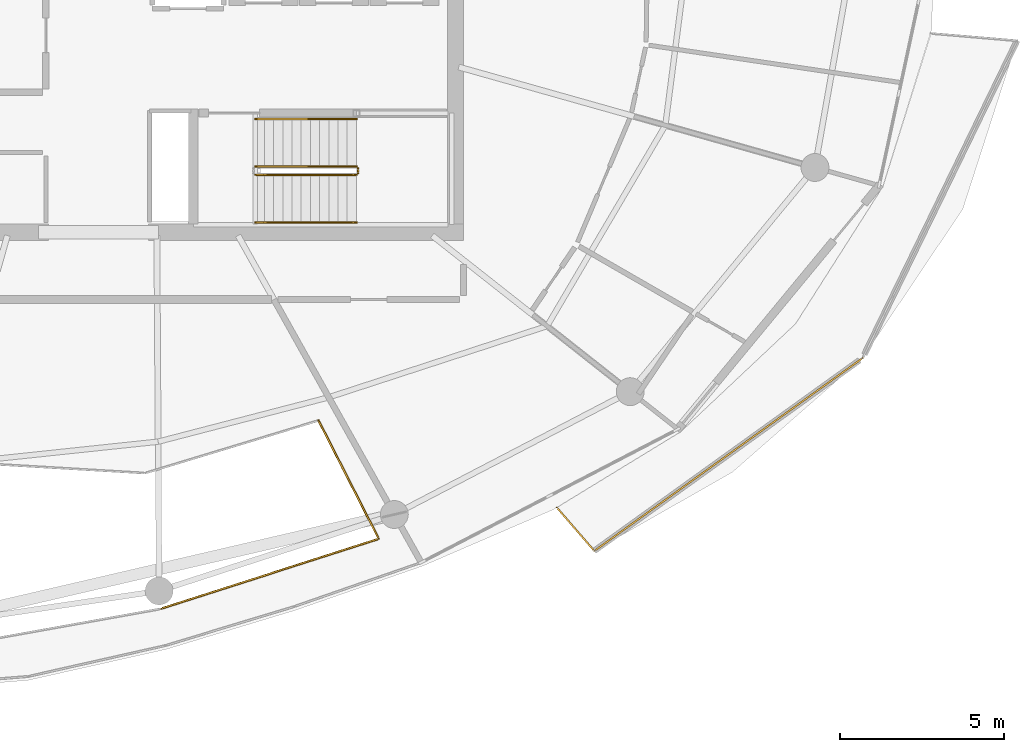
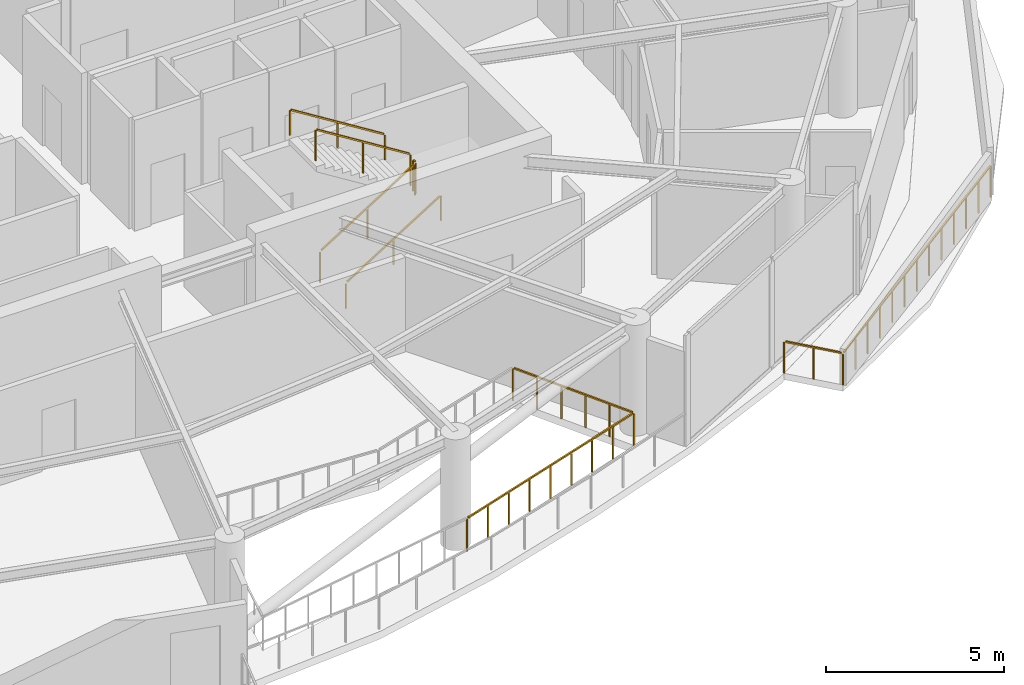
# One storey, part 19 of 21: 9 railings.
"""IFC4 building model written with IfcOpenShell, lengths in metres."""

from ifc_helpers import new_model, si_unit, direction, frame, origin, origin_2d, place, context, subcontext, project, spatial, rectangle, extrude, material, type_object, element, save


model = new_model("IFC4")

# Units and contexts
model_context = context("Model", 3, precision=1e-05, world=origin(), true_north=direction((0.0, 1.0)))
body_context = subcontext(model_context, "Body", "Model", "MODEL_VIEW")
ifc_project = project(units=[si_unit("LENGTHUNIT", "METRE"), si_unit("AREAUNIT", "SQUARE_METRE"), si_unit("VOLUMEUNIT", "CUBIC_METRE"), si_unit("PLANEANGLEUNIT", "RADIAN"), si_unit("MASSUNIT", "GRAM", prefix="KILO")], contexts=[model_context])

# Site, building, storey
site_placement = place(None, origin())
site = spatial("IfcSite", under=ifc_project, at=site_placement, CompositionType="ELEMENT")
building_placement = place(site_placement, origin())
building = spatial("IfcBuilding", under=site, at=building_placement, Name="Kazma Halo Residences", CompositionType="ELEMENT")
storey_placement = place(building_placement, frame((0.0, 0.0, 338.89990234375)))
storey = spatial("IfcBuildingStorey", under=building, at=storey_placement, Name="L85", CompositionType="ELEMENT", Elevation=338.89990234375)

# Railings
ifc_material_1 = material(Name="Aluminium AW-6063 T6 Brushed Cap Rail", Category="aluminium")
railing_type_1 = type_object("IfcRailingType", Name="RLG-BAL-CAP-1120", PredefinedType="BALUSTRADE", material=ifc_material_1)
railing_1_placement = place(storey_placement, frame((62.38818359375, 25.360595703125, 0.0)))
element("IfcRailing", 1, at=railing_1_placement, inside=storey, type_object=railing_type_1, Name="L85 SE wave balcony guard 1", PredefinedType="BALUSTRADE", context=body_context, shape_type="SweptSolid", body=[
    extrude(rectangle(XDim=0.050048828125, YDim=0.050048828125, at=origin_2d()), frame((0.02783203125, -0.0322265625, 1.09521484375), z_axis=(0.6540417477, -0.75645845376, 0.0), x_axis=(0.75645845376, 0.6540417477, 0.0)), (0.0, 0.0, 1.0), 1.662353515625),
    extrude(rectangle(XDim=0.0400390625, YDim=0.0400390625, at=origin_2d()), origin(), (0.0, 0.0, 1.0), 1.05810546875),
    extrude(rectangle(XDim=0.0400390625, YDim=0.0400390625, at=origin_2d()), frame((0.5712890625, -0.660888671875, 0.0)), (0.0, 0.0, 1.0), 1.05810546875),
    extrude(rectangle(XDim=0.0400390625, YDim=0.0400390625, at=origin_2d()), frame((1.142822265625, -1.32177734375, 0.0)), (0.0, 0.0, 1.0), 1.05810546875),
])
railing_2_placement = place(storey_placement, frame((63.531005859375, 24.038818359375, 0.0)))
element("IfcRailing", 2, at=railing_2_placement, inside=storey, type_object=railing_type_1, Name="L85 SE wave balcony guard 2", PredefinedType="BALUSTRADE", context=body_context, shape_type="SweptSolid", body=[
    extrude(rectangle(XDim=0.050048828125, YDim=0.050048828125, at=origin_2d()), frame((0.034423828125, 0.02490234375, 1.09521484375), z_axis=(0.812017165891, 0.583633551382, 0.0), x_axis=(-0.583633551382, 0.812017165891, 0.0)), (0.0, 0.0, 1.0), 9.989013671875),
    extrude(rectangle(XDim=0.0400390625, YDim=0.0400390625, at=origin_2d()), origin(), (0.0, 0.0, 1.0), 1.05810546875),
    extrude(rectangle(XDim=0.0400390625, YDim=0.0400390625, at=origin_2d()), frame((0.681640625, 0.489990234375, 0.0)), (0.0, 0.0, 1.0), 1.05810546875),
    extrude(rectangle(XDim=0.0400390625, YDim=0.0400390625, at=origin_2d()), frame((1.36328125, 0.97998046875, 0.0)), (0.0, 0.0, 1.0), 1.05810546875),
    extrude(rectangle(XDim=0.0400390625, YDim=0.0400390625, at=origin_2d()), frame((2.045166015625, 1.469970703125, 0.0)), (0.0, 0.0, 1.0), 1.05810546875),
    extrude(rectangle(XDim=0.0400390625, YDim=0.0400390625, at=origin_2d()), frame((2.726806640625, 1.9599609375, 0.0)), (0.0, 0.0, 1.0), 1.05810546875),
    extrude(rectangle(XDim=0.0400390625, YDim=0.0400390625, at=origin_2d()), frame((3.408447265625, 2.449951171875, 0.0)), (0.0, 0.0, 1.0), 1.05810546875),
    extrude(rectangle(XDim=0.0400390625, YDim=0.0400390625, at=origin_2d()), frame((4.09033203125, 2.93994140625, 0.0)), (0.0, 0.0, 1.0), 1.05810546875),
    extrude(rectangle(XDim=0.0400390625, YDim=0.0400390625, at=origin_2d()), frame((4.77197265625, 3.4296875, 0.0)), (0.0, 0.0, 1.0), 1.05810546875),
    extrude(rectangle(XDim=0.0400390625, YDim=0.0400390625, at=origin_2d()), frame((5.45361328125, 3.919677734375, 0.0)), (0.0, 0.0, 1.0), 1.05810546875),
    extrude(rectangle(XDim=0.0400390625, YDim=0.0400390625, at=origin_2d()), frame((6.13525390625, 4.40966796875, 0.0)), (0.0, 0.0, 1.0), 1.05810546875),
    extrude(rectangle(XDim=0.0400390625, YDim=0.0400390625, at=origin_2d()), frame((6.81689453125, 4.899658203125, 0.0)), (0.0, 0.0, 1.0), 1.05810546875),
    extrude(rectangle(XDim=0.0400390625, YDim=0.0400390625, at=origin_2d()), frame((7.498779296875, 5.3896484375, 0.0)), (0.0, 0.0, 1.0), 1.05810546875),
    extrude(rectangle(XDim=0.0400390625, YDim=0.0400390625, at=origin_2d()), frame((8.180419921875, 5.879638671875, 0.0)), (0.0, 0.0, 1.0), 1.05810546875),
])
ifc_material_2 = material(Name="Brushed Stainless Steel and Laminated Glass", Category="steel")
railing_type_2 = type_object("IfcRailingType", Name="RLG-EXT-GUARD-1150", PredefinedType="GUARDRAIL", material=ifc_material_2)
railing_3_placement = place(storey_placement, frame((55.127685546875, 28.01123046875, 0.0)))
element("IfcRailing", 3, at=railing_3_placement, inside=storey, type_object=railing_type_2, Name="L85 upper wind-portal edge guard 2.3", PredefinedType="GUARDRAIL", context=body_context, shape_type="SweptSolid", body=[
    extrude(rectangle(XDim=0.050048828125, YDim=0.050048828125, at=origin_2d()), frame((0.019287109375, -0.037841796875, 1.125), z_axis=(0.453986372723, -0.891008626996, 0.0), x_axis=(0.891008626996, 0.453986372723, 0.0)), (0.0, 0.0, 1.0), 3.958984375),
    extrude(rectangle(XDim=0.0400390625, YDim=0.0400390625, at=origin_2d()), origin(), (0.0, 0.0, 1.0), 1.087890625),
    extrude(rectangle(XDim=0.0400390625, YDim=0.0400390625, at=origin_2d()), frame((0.3671875, -0.720703125, 0.0)), (0.0, 0.0, 1.0), 1.087890625),
    extrude(rectangle(XDim=0.0400390625, YDim=0.0400390625, at=origin_2d()), frame((0.734375, -1.44140625, 0.0)), (0.0, 0.0, 1.0), 1.087890625),
    extrude(rectangle(XDim=0.0400390625, YDim=0.0400390625, at=origin_2d()), frame((1.1015625, -2.161865234375, 0.0)), (0.0, 0.0, 1.0), 1.087890625),
    extrude(rectangle(XDim=0.0400390625, YDim=0.0400390625, at=origin_2d()), frame((1.46875, -2.882568359375, 0.0)), (0.0, 0.0, 1.0), 1.087890625),
    extrude(rectangle(XDim=0.0400390625, YDim=0.0400390625, at=origin_2d()), frame((1.8359375, -3.603271484375, 0.0)), (0.0, 0.0, 1.0), 1.087890625),
])
railing_4_placement = place(storey_placement, frame((56.963623046875, 24.407958984375, 0.0)))
element("IfcRailing", 4, at=railing_4_placement, inside=storey, type_object=railing_type_2, Name="L85 upper wind-portal edge guard 2.4", PredefinedType="GUARDRAIL", context=body_context, shape_type="SweptSolid", body=[
    extrude(rectangle(XDim=0.050048828125, YDim=0.050048828125, at=origin_2d()), frame((-0.04052734375, -0.012939453125, 1.125), z_axis=(-0.952165276882, -0.305583516407, 0.0), x_axis=(0.305583516407, -0.952165276882, 0.0)), (0.0, 0.0, 1.0), 6.877685546875),
    extrude(rectangle(XDim=0.0400390625, YDim=0.0400390625, at=origin_2d()), origin(), (0.0, 0.0, 1.0), 1.087890625),
    extrude(rectangle(XDim=0.0400390625, YDim=0.0400390625, at=origin_2d()), frame((-0.82861328125, -0.265869140625, 0.0)), (0.0, 0.0, 1.0), 1.087890625),
    extrude(rectangle(XDim=0.0400390625, YDim=0.0400390625, at=origin_2d()), frame((-1.657470703125, -0.531982421875, 0.0)), (0.0, 0.0, 1.0), 1.087890625),
    extrude(rectangle(XDim=0.0400390625, YDim=0.0400390625, at=origin_2d()), frame((-2.486083984375, -0.7978515625, 0.0)), (0.0, 0.0, 1.0), 1.087890625),
    extrude(rectangle(XDim=0.0400390625, YDim=0.0400390625, at=origin_2d()), frame((-3.31494140625, -1.06396484375, 0.0)), (0.0, 0.0, 1.0), 1.087890625),
    extrude(rectangle(XDim=0.0400390625, YDim=0.0400390625, at=origin_2d()), frame((-4.1435546875, -1.329833984375, 0.0)), (0.0, 0.0, 1.0), 1.087890625),
    extrude(rectangle(XDim=0.0400390625, YDim=0.0400390625, at=origin_2d()), frame((-4.97216796875, -1.595703125, 0.0)), (0.0, 0.0, 1.0), 1.087890625),
    extrude(rectangle(XDim=0.0400390625, YDim=0.0400390625, at=origin_2d()), frame((-5.801025390625, -1.86181640625, 0.0)), (0.0, 0.0, 1.0), 1.087890625),
    extrude(rectangle(XDim=0.0400390625, YDim=0.0400390625, at=origin_2d()), frame((-6.629638671875, -2.127685546875, 0.0)), (0.0, 0.0, 1.0), 1.087890625),
])
ifc_material_3 = material(Name="Painted Steel S355", Category="steel")
railing_type_3 = type_object("IfcRailingType", Name="RLG-STAIR-GRD-1100", PredefinedType="GUARDRAIL", material=ifc_material_3)
railing_5_placement = place(storey_placement, frame((53.199951171875, 35.5, 0.175048828125)))
element("IfcRailing", 5, at=railing_5_placement, inside=storey, type_object=railing_type_3, Name="L85 ST-03 stair guard 1", PredefinedType="GUARDRAIL", context=body_context, shape_type="SweptSolid", body=[
    extrude(rectangle(XDim=0.050048828125, YDim=0.050048828125, at=origin_2d()), frame((0.0361328125, 0.0, 1.09765625), z_axis=(0.847998304005, 0.0, 0.529998940003), x_axis=(0.0, 1.0, 0.0)), (0.0, 0.0, 1.0), 3.547119140625),
    extrude(rectangle(XDim=0.0400390625, YDim=0.0400390625, at=origin_2d()), origin(), (0.0, 0.0, 1.0), 1.0380859375),
    extrude(rectangle(XDim=0.0400390625, YDim=0.0400390625, at=origin_2d()), frame((1.5400390625, 0.0, 0.96240234375)), (0.0, 0.0, 1.0), 1.0380859375),
    extrude(rectangle(XDim=0.0400390625, YDim=0.0400390625, at=origin_2d()), frame((3.080078125, 0.0, 1.925048828125)), (0.0, 0.0, 1.0), 1.0380859375),
])
railing_6_placement = place(storey_placement, frame((56.330078125, 35.550048828125, 2.10009765625)))
element("IfcRailing", 6, at=railing_6_placement, inside=storey, type_object=railing_type_3, Name="L85 ST-03 stair guard 2", PredefinedType="GUARDRAIL", context=body_context, shape_type="SweptSolid", body=[
    extrude(rectangle(XDim=0.050048828125, YDim=0.050048828125, at=origin_2d()), frame((0.0, 0.04248046875, 1.0751953125), z_axis=(0.0, 1.0, 0.0), x_axis=(-1.0, 0.0, 0.0)), (0.0, 0.0, 1.0), 0.06494140625),
    extrude(rectangle(XDim=0.0400390625, YDim=0.0400390625, at=origin_2d()), origin(), (0.0, 0.0, 1.0), 1.0380859375),
    extrude(rectangle(XDim=0.0400390625, YDim=0.0400390625, at=origin_2d()), frame((0.0, 0.14990234375, 0.0)), (0.0, 0.0, 1.0), 1.0380859375),
])
railing_7_placement = place(storey_placement, frame((56.280029296875, 35.75, 2.275146484375)))
element("IfcRailing", 7, at=railing_7_placement, inside=storey, type_object=railing_type_3, Name="L85 ST-03 stair guard 3", PredefinedType="GUARDRAIL", context=body_context, shape_type="SweptSolid", body=[
    extrude(rectangle(XDim=0.050048828125, YDim=0.050048828125, at=origin_2d()), frame((-0.0361328125, 0.0, 1.09765625), z_axis=(-0.847998304005, 0.0, 0.529998940003), x_axis=(0.0, -1.0, 0.0)), (0.0, 0.0, 1.0), 3.547119140625),
    extrude(rectangle(XDim=0.0400390625, YDim=0.0400390625, at=origin_2d()), origin(), (0.0, 0.0, 1.0), 1.0380859375),
    extrude(rectangle(XDim=0.0400390625, YDim=0.0400390625, at=origin_2d()), frame((-1.5400390625, 0.0, 0.96240234375)), (0.0, 0.0, 1.0), 1.0380859375),
    extrude(rectangle(XDim=0.0400390625, YDim=0.0400390625, at=origin_2d()), frame((-3.080078125, 0.0, 1.925048828125)), (0.0, 0.0, 1.0), 1.0380859375),
])
ifc_material_4 = material(Name="Brushed Stainless Steel", Category="steel")
railing_type_4 = type_object("IfcRailingType", Name="RLG-STAIR-HND-900", PredefinedType="HANDRAIL", material=ifc_material_4)
railing_8_placement = place(storey_placement, frame((53.199951171875, 34.050048828125, 0.175048828125)))
element("IfcRailing", 8, at=railing_8_placement, inside=storey, type_object=railing_type_4, Name="L85 ST-03 stair handrail 1", PredefinedType="HANDRAIL", context=body_context, shape_type="SweptSolid", body=[
    extrude(rectangle(XDim=0.050048828125, YDim=0.050048828125, at=origin_2d()), frame((0.0361328125, 0.0, 0.8974609375), z_axis=(0.847998304005, 0.0, 0.529998940003), x_axis=(0.0, 1.0, 0.0)), (0.0, 0.0, 1.0), 3.547119140625),
    extrude(rectangle(XDim=0.0400390625, YDim=0.0400390625, at=origin_2d()), origin(), (0.0, 0.0, 1.0), 0.837890625),
    extrude(rectangle(XDim=0.0400390625, YDim=0.0400390625, at=origin_2d()), frame((1.5400390625, 0.0, 0.96240234375)), (0.0, 0.0, 1.0), 0.837890625),
    extrude(rectangle(XDim=0.0400390625, YDim=0.0400390625, at=origin_2d()), frame((3.080078125, 0.0, 1.925048828125)), (0.0, 0.0, 1.0), 0.837890625),
])
railing_9_placement = place(storey_placement, frame((56.280029296875, 37.199951171875, 2.275146484375)))
element("IfcRailing", 9, at=railing_9_placement, inside=storey, type_object=railing_type_4, Name="L85 ST-03 stair handrail 2", PredefinedType="HANDRAIL", context=body_context, shape_type="SweptSolid", body=[
    extrude(rectangle(XDim=0.050048828125, YDim=0.050048828125, at=origin_2d()), frame((-0.0361328125, 0.0, 0.8974609375), z_axis=(-0.847998304005, 0.0, 0.529998940003), x_axis=(0.0, -1.0, 0.0)), (0.0, 0.0, 1.0), 3.547119140625),
    extrude(rectangle(XDim=0.0400390625, YDim=0.0400390625, at=origin_2d()), origin(), (0.0, 0.0, 1.0), 0.837890625),
    extrude(rectangle(XDim=0.0400390625, YDim=0.0400390625, at=origin_2d()), frame((-1.5400390625, 0.0, 0.96240234375)), (0.0, 0.0, 1.0), 0.837890625),
    extrude(rectangle(XDim=0.0400390625, YDim=0.0400390625, at=origin_2d()), frame((-3.080078125, 0.0, 1.925048828125)), (0.0, 0.0, 1.0), 0.837890625),
])

save(model, "model.ifc")
